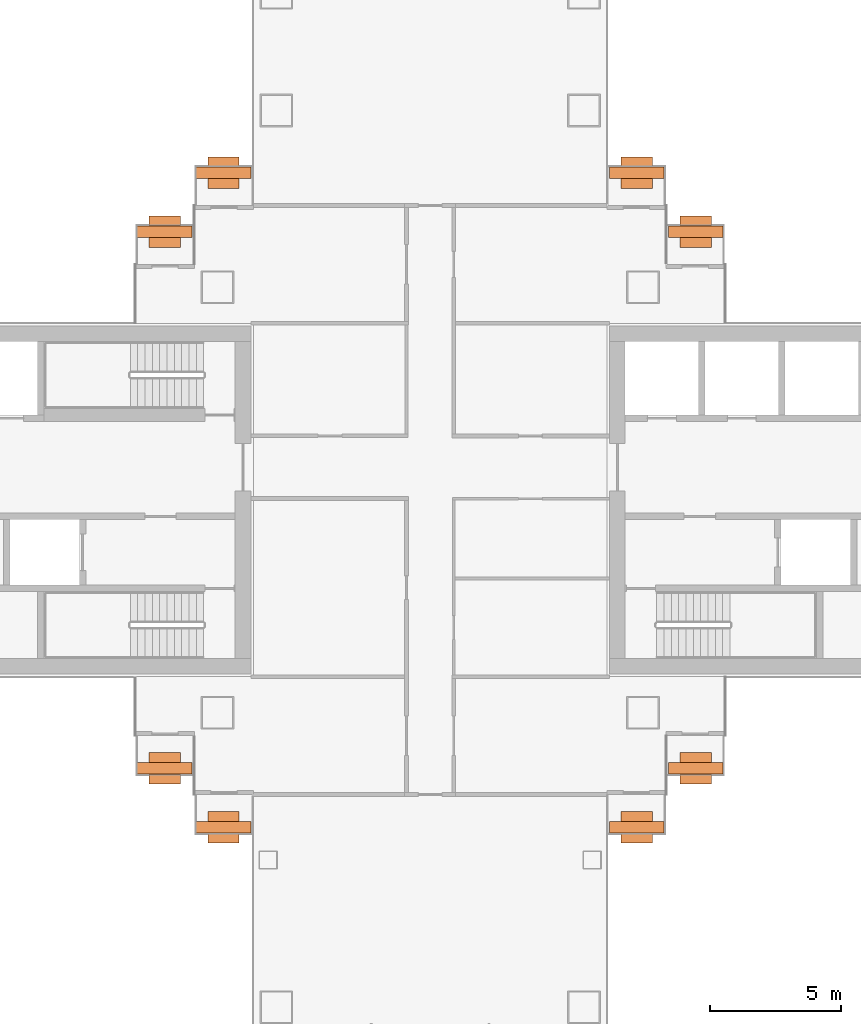
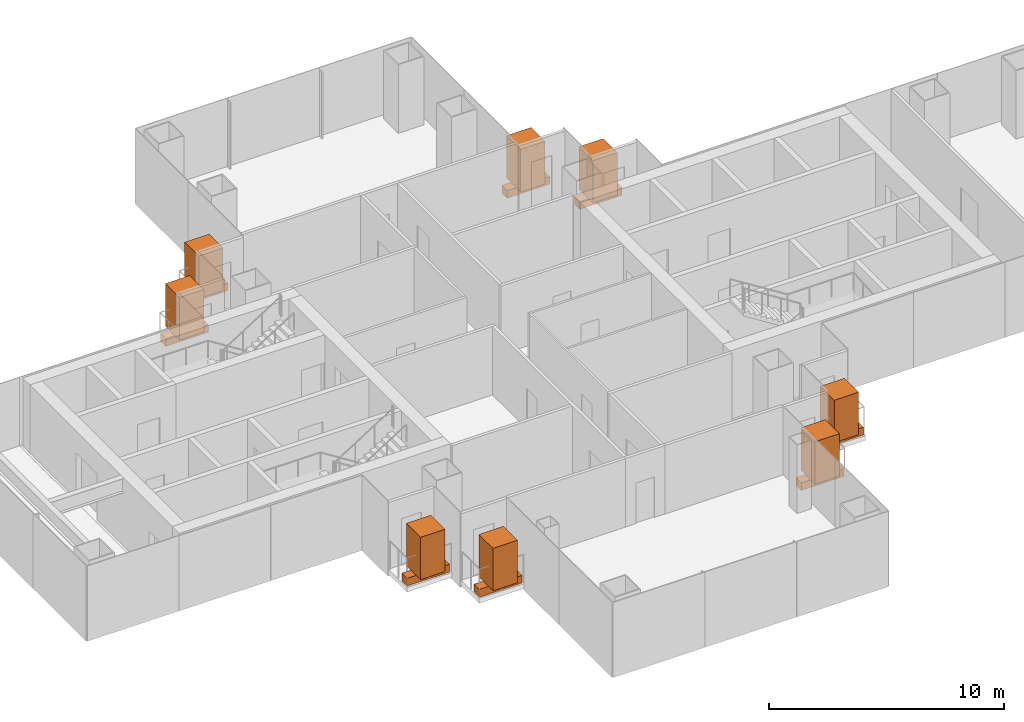
# One storey, part 20 of 20: 8 geographic elements, 8 proxies.
"""IFC4 building model written with IfcOpenShell, lengths in metres."""

from ifc_helpers import new_model, si_unit, direction, frame, origin, origin_2d, place, context, subcontext, project, spatial, rectangle, extrude, material, type_object, element, save


model = new_model("IFC4")

# Units and contexts
model_context = context("Model", 3, precision=1e-05, world=origin(), true_north=direction((0.0, 1.0)))
body_context = subcontext(model_context, "Body", "Model", "MODEL_VIEW")
ifc_project = project(units=[si_unit("LENGTHUNIT", "METRE"), si_unit("AREAUNIT", "SQUARE_METRE"), si_unit("VOLUMEUNIT", "CUBIC_METRE"), si_unit("PLANEANGLEUNIT", "RADIAN"), si_unit("MASSUNIT", "GRAM", prefix="KILO")], contexts=[model_context])

# Site, building, storey
site_placement = place(None, origin())
site = spatial("IfcSite", under=ifc_project, at=site_placement, CompositionType="ELEMENT")
building_placement = place(site_placement, origin())
building = spatial("IfcBuilding", under=site, at=building_placement, Name="Shamsa Quay Exchange Towers", CompositionType="ELEMENT")
storey_placement = place(building_placement, frame((0.0, 0.0, 105.300048828125)))
storey = spatial("IfcBuildingStorey", under=building, at=storey_placement, Name="L24", CompositionType="ELEMENT", Elevation=105.300048828125)

# Proxies
ifc_material_1 = material(Name="Reinforced concrete C30/37, black glass-fibre faced", Category="concrete")
building_element_proxy_type = type_object("IfcBuildingElementProxyType", Name="BALCONY PLANTER", PredefinedType="USERDEFINED", material=ifc_material_1)
for number, where, z_axis, x_axis, name in (
    (1, (-23.60595703125, 10.2451171875, 0.0), (0.0, 0.0, 1.0), (-1.0, 0.0, 0.0), "PLANTER T1-PKEN L24"),
    (2, (-25.85595703125, 12.4951171875, 0.0), (0.0, 0.0, 1.0), (-1.0, 0.0, 0.0), "PLANTER T1-PKEN L24"),
):
    element("IfcBuildingElementProxy", number, at=place(storey_placement, frame(where, z_axis=z_axis, x_axis=x_axis)), inside=storey, type_object=building_element_proxy_type, Name=name, ObjectType="PLANTER", PredefinedType="USERDEFINED", context=body_context, shape_type="SweptSolid", body=[
        extrude(rectangle(XDim=2.092041015625, YDim=0.449951171875, at=origin_2d()), origin(), (0.0, 0.0, 1.0), 0.39990234375),
    ])
for number, where, name in (
    (3, (-23.60595703125, -10.2451171875, 0.0), "PLANTER T1-PKES L24"),
    (4, (-25.85595703125, -12.4951171875, 0.0), "PLANTER T1-PKES L24"),
):
    element("IfcBuildingElementProxy", number, at=place(storey_placement, frame(where)), inside=storey, type_object=building_element_proxy_type, Name=name, ObjectType="PLANTER", PredefinedType="USERDEFINED", context=body_context, shape_type="SweptSolid", body=[
        extrude(rectangle(XDim=2.092041015625, YDim=0.449951171875, at=origin_2d()), origin(), (0.0, 0.0, 1.0), 0.39990234375),
    ])
for number, where, z_axis, x_axis, name in (
    (5, (-41.64404296875, 12.4951171875, 0.0), (0.0, 0.0, 1.0), (-1.0, 0.0, 0.0), "PLANTER T1-PKWN L24"),
    (6, (-43.89404296875, 10.2451171875, 0.0), (0.0, 0.0, 1.0), (-1.0, 0.0, 0.0), "PLANTER T1-PKWN L24"),
):
    element("IfcBuildingElementProxy", number, at=place(storey_placement, frame(where, z_axis=z_axis, x_axis=x_axis)), inside=storey, type_object=building_element_proxy_type, Name=name, ObjectType="PLANTER", PredefinedType="USERDEFINED", context=body_context, shape_type="SweptSolid", body=[
        extrude(rectangle(XDim=2.092041015625, YDim=0.449951171875, at=origin_2d()), origin(), (0.0, 0.0, 1.0), 0.39990234375),
    ])
for number, where, name in (
    (7, (-43.89404296875, -10.2451171875, 0.0), "PLANTER T1-PKWS L24"),
    (8, (-41.64404296875, -12.4951171875, 0.0), "PLANTER T1-PKWS L24"),
):
    element("IfcBuildingElementProxy", number, at=place(storey_placement, frame(where)), inside=storey, type_object=building_element_proxy_type, Name=name, ObjectType="PLANTER", PredefinedType="USERDEFINED", context=body_context, shape_type="SweptSolid", body=[
        extrude(rectangle(XDim=2.092041015625, YDim=0.449951171875, at=origin_2d()), origin(), (0.0, 0.0, 1.0), 0.39990234375),
    ])

# Geographic elements
ifc_material_2 = material(Name="Planting")
geographic_element_type = type_object("IfcGeographicElementType", Name="BALCONY TREE", PredefinedType="USERDEFINED", material=ifc_material_2)
for number, where, z_axis, x_axis, name in (
    (9, (-23.60595703125, 10.2451171875, 0.39990234375), (0.0, 0.0, 1.0), (-1.0, 0.0, 0.0), "TREE T1-PKEN L24"),
    (10, (-25.85595703125, 12.4951171875, 0.39990234375), (0.0, 0.0, 1.0), (-1.0, 0.0, 0.0), "TREE T1-PKEN L24"),
):
    element("IfcGeographicElement", number, at=place(storey_placement, frame(where, z_axis=z_axis, x_axis=x_axis)), inside=storey, type_object=geographic_element_type, Name=name, ObjectType="TREE", PredefinedType="USERDEFINED", context=body_context, shape_type="SweptSolid", body=[
        extrude(rectangle(XDim=1.199951171875, YDim=1.199951171875, at=origin_2d()), origin(), (0.0, 0.0, 1.0), 2.199951171875),
    ])
for number, where, name in (
    (11, (-23.60595703125, -10.2451171875, 0.39990234375), "TREE T1-PKES L24"),
    (12, (-25.85595703125, -12.4951171875, 0.39990234375), "TREE T1-PKES L24"),
):
    element("IfcGeographicElement", number, at=place(storey_placement, frame(where)), inside=storey, type_object=geographic_element_type, Name=name, ObjectType="TREE", PredefinedType="USERDEFINED", context=body_context, shape_type="SweptSolid", body=[
        extrude(rectangle(XDim=1.199951171875, YDim=1.199951171875, at=origin_2d()), origin(), (0.0, 0.0, 1.0), 2.199951171875),
    ])
for number, where, z_axis, x_axis, name in (
    (13, (-41.64404296875, 12.4951171875, 0.39990234375), (0.0, 0.0, 1.0), (-1.0, 0.0, 0.0), "TREE T1-PKWN L24"),
    (14, (-43.89404296875, 10.2451171875, 0.39990234375), (0.0, 0.0, 1.0), (-1.0, 0.0, 0.0), "TREE T1-PKWN L24"),
):
    element("IfcGeographicElement", number, at=place(storey_placement, frame(where, z_axis=z_axis, x_axis=x_axis)), inside=storey, type_object=geographic_element_type, Name=name, ObjectType="TREE", PredefinedType="USERDEFINED", context=body_context, shape_type="SweptSolid", body=[
        extrude(rectangle(XDim=1.199951171875, YDim=1.199951171875, at=origin_2d()), origin(), (0.0, 0.0, 1.0), 2.199951171875),
    ])
for number, where, name in (
    (15, (-43.89404296875, -10.2451171875, 0.39990234375), "TREE T1-PKWS L24"),
    (16, (-41.64404296875, -12.4951171875, 0.39990234375), "TREE T1-PKWS L24"),
):
    element("IfcGeographicElement", number, at=place(storey_placement, frame(where)), inside=storey, type_object=geographic_element_type, Name=name, ObjectType="TREE", PredefinedType="USERDEFINED", context=body_context, shape_type="SweptSolid", body=[
        extrude(rectangle(XDim=1.199951171875, YDim=1.199951171875, at=origin_2d()), origin(), (0.0, 0.0, 1.0), 2.199951171875),
    ])

save(model, "model.ifc")
